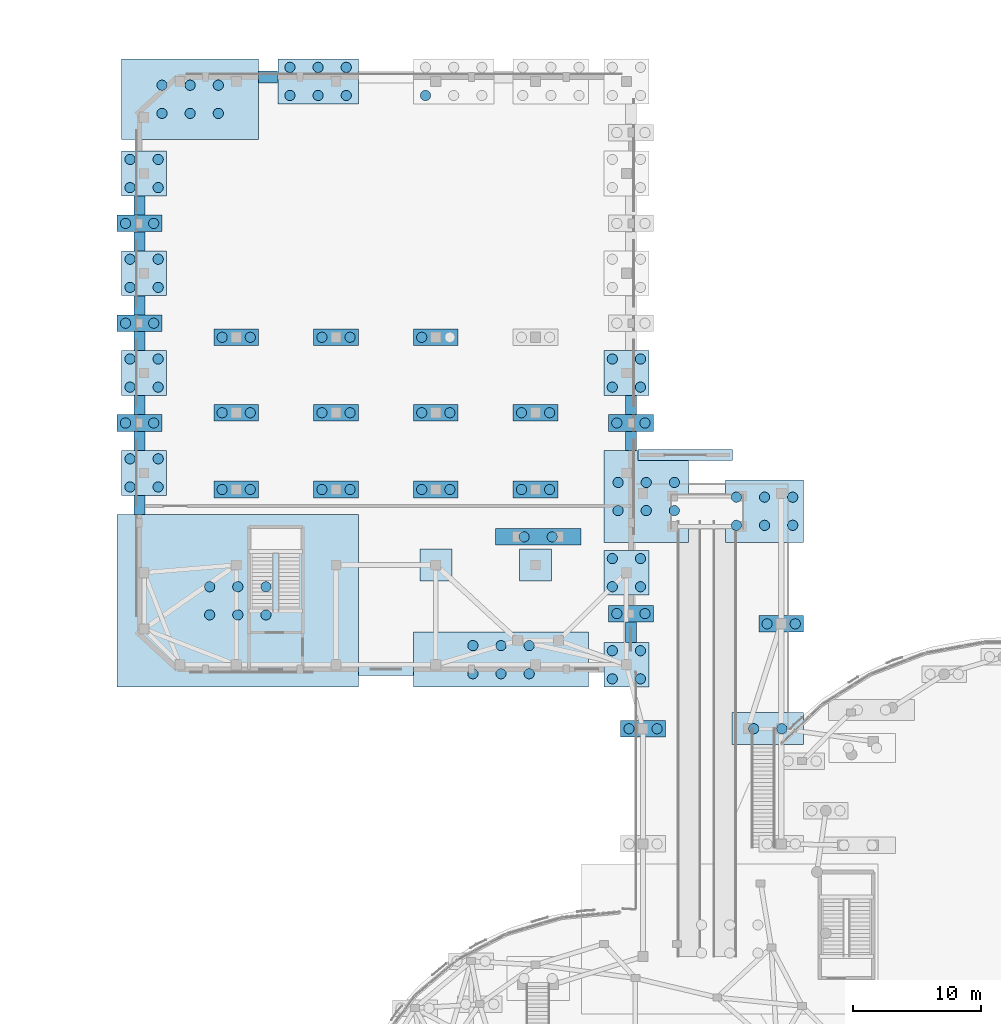
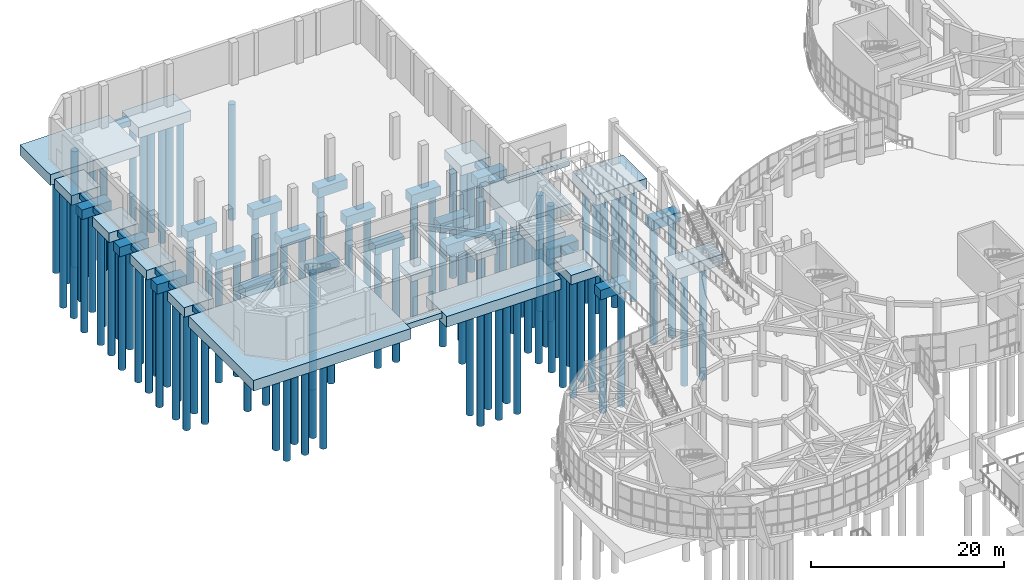
# One storey, part 2 of 96: 104 piles, 48 footings.
"""IFC4 building model written with IfcOpenShell, lengths in metres."""

from ifc_helpers import new_model, si_unit, direction, frame, origin, origin_2d, place, context, subcontext, project, spatial, rectangle, circle, extrude, material, layer, layer_set, material_profile, profile_set, type_object, element, save


model = new_model("IFC4")

# Units and contexts
model_context = context("Model", 3, precision=1e-05, world=origin(), true_north=direction((0.0, 1.0)))
body_context = subcontext(model_context, "Body", "Model", "MODEL_VIEW")
ifc_project = project(units=[si_unit("LENGTHUNIT", "METRE"), si_unit("AREAUNIT", "SQUARE_METRE"), si_unit("VOLUMEUNIT", "CUBIC_METRE"), si_unit("PLANEANGLEUNIT", "RADIAN"), si_unit("MASSUNIT", "GRAM", prefix="KILO")], contexts=[model_context])

# Site, building, storey
site_placement = place(None, origin())
site = spatial("IfcSite", under=ifc_project, at=site_placement, CompositionType="ELEMENT")
building_placement = place(site_placement, origin())
building = spatial("IfcBuilding", under=site, at=building_placement, Name="Pelvatis Terrace Science Centre", CompositionType="ELEMENT")
storey_placement = place(building_placement, origin())
storey = spatial("IfcBuildingStorey", under=building, at=storey_placement, Name="L00", CompositionType="ELEMENT", Elevation=0.0)

# Footings
ifc_material_1 = material(Name="Concrete C35/45", Category="concrete")
ifc_layer_1 = layer(ifc_material_1, 1.35009765625)
ifc_layer_set_1 = layer_set([ifc_layer_1], Name="Concrete C35/45")
footing_type_1 = type_object("IfcFootingType", Name="FTG-CMB-10700x6300x1350", PredefinedType="PILE_CAP", material=ifc_layer_set_1)
footing_1_placement = place(storey_placement, frame((12.0, 115.0, -1.630126953125), z_axis=(0.0, 0.0, 1.0), x_axis=(1.0, 0.0, 0.0)))
element("IfcFooting", 1, at=footing_1_placement, inside=storey, type_object=footing_type_1, Name="Foundation cap L00-223", PredefinedType="PILE_CAP", context=body_context, shape_type="SweptSolid", body=[
    extrude(rectangle(XDim=10.699951171875, YDim=6.300048828125, at=origin_2d()), origin(), (0.0, 0.0, 1.0), 1.35009765625),
])
ifc_material_2 = material(Name="Concrete C35/45", Category="concrete")
ifc_layer_2 = layer(ifc_material_2, 1.35009765625)
ifc_layer_set_2 = layer_set([ifc_layer_2], Name="Concrete C35/45")
footing_type_2 = type_object("IfcFootingType", Name="FTG-CMB-13700x4300x1350", PredefinedType="PILE_CAP", material=ifc_layer_set_2)
footing_2_placement = place(storey_placement, frame((36.300048828125, 71.199951171875, -1.630126953125), z_axis=(0.0, 0.0, 1.0), x_axis=(1.0, 0.0, 0.0)))
element("IfcFooting", 2, at=footing_2_placement, inside=storey, type_object=footing_type_2, Name="Foundation cap L00-237", PredefinedType="PILE_CAP", context=body_context, shape_type="SweptSolid", body=[
    extrude(rectangle(XDim=13.699951171875, YDim=4.300048828125, at=origin_2d()), origin(), (0.0, 0.0, 1.0), 1.35009765625),
])
ifc_material_3 = material(Name="Concrete C35/45", Category="concrete")
ifc_layer_3 = layer(ifc_material_3, 1.35009765625)
ifc_layer_set_3 = layer_set([ifc_layer_3], Name="Concrete C35/45")
footing_type_3 = type_object("IfcFootingType", Name="FTG-CMB-18850x13500x1350", PredefinedType="PILE_CAP", material=ifc_layer_set_3)
footing_3_placement = place(storey_placement, frame((15.72509765625, 75.800048828125, -1.630126953125), z_axis=(0.0, 0.0, 1.0), x_axis=(1.0, 0.0, 0.0)))
element("IfcFooting", 3, at=footing_3_placement, inside=storey, type_object=footing_type_3, Name="Foundation cap L00-211", PredefinedType="PILE_CAP", context=body_context, shape_type="SweptSolid", body=[
    extrude(rectangle(XDim=18.85009765625, YDim=13.5, at=origin_2d()), origin(), (0.0, 0.0, 1.0), 1.35009765625),
])
ifc_material_4 = material(Name="Concrete C35/45", Category="concrete")
ifc_layer_4 = layer(ifc_material_4, 1.35009765625)
ifc_layer_set_4 = layer_set([ifc_layer_4], Name="Concrete C35/45")
footing_type_4 = type_object("IfcFootingType", Name="FTG-CMB-5600x2500x1350", PredefinedType="PILE_CAP", material=ifc_layer_set_4)
footing_4_placement = place(storey_placement, frame((57.14990234375, 65.800048828125, -1.630126953125), z_axis=(0.0, 0.0, 1.0), x_axis=(1.0, 0.0, 0.0)))
element("IfcFooting", 4, at=footing_4_placement, inside=storey, type_object=footing_type_4, Name="Foundation cap L00-284", PredefinedType="PILE_CAP", context=body_context, shape_type="SweptSolid", body=[
    extrude(rectangle(XDim=5.60009765625, YDim=2.5, at=origin_2d()), origin(), (0.0, 0.0, 1.0), 1.35009765625),
])
ifc_material_5 = material(Name="Concrete C35/45", Category="concrete")
ifc_layer_5 = layer(ifc_material_5, 1.35009765625)
ifc_layer_set_5 = layer_set([ifc_layer_5], Name="Concrete C35/45")
footing_type_5 = type_object("IfcFootingType", Name="FTG-CMB-6100x4900x1350", PredefinedType="PILE_CAP", material=ifc_layer_set_5)
footing_5_placement = place(storey_placement, frame((56.89990234375, 82.800048828125, -1.630126953125), z_axis=(0.0, 0.0, 1.0), x_axis=(1.0, 0.0, 0.0)))
element("IfcFooting", 5, at=footing_5_placement, inside=storey, type_object=footing_type_5, Name="Foundation cap L00-287", PredefinedType="PILE_CAP", context=body_context, shape_type="SweptSolid", body=[
    extrude(rectangle(XDim=6.10009765625, YDim=4.89990234375, at=origin_2d()), origin(), (0.0, 0.0, 1.0), 1.35009765625),
])
ifc_material_6 = material(Name="Concrete C35/45", Category="concrete")
ifc_layer_6 = layer(ifc_material_6, 1.35009765625)
ifc_layer_set_6 = layer_set([ifc_layer_6], Name="Concrete C35/45")
footing_type_6 = type_object("IfcFootingType", Name="FTG-CMB-6300x3500x1350", PredefinedType="PILE_CAP", material=ifc_layer_set_6)
footing_6_placement = place(storey_placement, frame((22.0, 116.39990234375, -1.630126953125), z_axis=(0.0, 0.0, 1.0), x_axis=(1.0, 0.0, 0.0)))
element("IfcFooting", 6, at=footing_6_placement, inside=storey, type_object=footing_type_6, Name="Foundation cap L00-224", PredefinedType="PILE_CAP", context=body_context, shape_type="SweptSolid", body=[
    extrude(rectangle(XDim=6.300048828125, YDim=3.5, at=origin_2d()), origin(), (0.0, 0.0, 1.0), 1.35009765625),
])
ifc_material_7 = material(Name="Concrete C35/45", Category="concrete")
ifc_layer_7 = layer(ifc_material_7, 1.35009765625)
ifc_layer_set_7 = layer_set([ifc_layer_7], Name="Concrete C35/45")
footing_type_7 = type_object("IfcFootingType", Name="FTG-CMB-6600x7200x1350", PredefinedType="PILE_CAP", material=ifc_layer_set_7)
footing_7_placement = place(storey_placement, frame((47.64990234375, 83.949951171875, -1.630126953125), z_axis=(0.0, 0.0, 1.0), x_axis=(1.0, 0.0, 0.0)))
element("IfcFooting", 7, at=footing_7_placement, inside=storey, type_object=footing_type_7, Name="Foundation cap L00-262", PredefinedType="PILE_CAP", context=body_context, shape_type="SweptSolid", body=[
    extrude(rectangle(XDim=6.60009765625, YDim=7.199951171875, at=origin_2d()), origin(), (0.0, 0.0, 1.0), 1.35009765625),
])
ifc_material_8 = material(Name="Concrete C35/45", Category="concrete")
ifc_layer_8 = layer(ifc_material_8, 1.35009765625)
ifc_layer_set_8 = layer_set([ifc_layer_8], Name="Concrete C35/45")
footing_type_8 = type_object("IfcFootingType", Name="FTG-CMB-6700x1300x1350", PredefinedType="PILE_CAP", material=ifc_layer_set_8)
footing_8_placement = place(storey_placement, frame((39.199951171875, 80.800048828125, -1.630126953125), z_axis=(0.0, 0.0, 1.0), x_axis=(1.0, 0.0, 0.0)))
element("IfcFooting", 8, at=footing_8_placement, inside=storey, type_object=footing_type_8, Name="Foundation cap L00-240", PredefinedType="PILE_CAP", context=body_context, shape_type="SweptSolid", body=[
    extrude(rectangle(XDim=6.699951171875, YDim=1.300048828125, at=origin_2d()), origin(), (0.0, 0.0, 1.0), 1.35009765625),
])
ifc_material_9 = material(Name="Concrete C35/45", Category="concrete")
ifc_layer_9 = layer(ifc_material_9, 0.85009765625)
ifc_layer_set_9 = layer_set([ifc_layer_9], Name="Concrete C35/45")
footing_type_9 = type_object("IfcFootingType", Name="FTG-PAD-2500x2500x850", PredefinedType="PAD_FOOTING", material=ifc_layer_set_9)
for number, where, z_axis, x_axis, name in (
    (9, (31.199951171875, 78.60009765625, -1.130126953125), (0.0, 0.0, 1.0), (1.0, 0.0, 0.0), "Foundation cap L00-238"),
    (10, (39.0, 78.60009765625, -1.130126953125), (0.0, 0.0, 1.0), (1.0, 0.0, 0.0), "Foundation cap L00-239"),
):
    element("IfcFooting", number, at=place(storey_placement, frame(where, z_axis=z_axis, x_axis=x_axis)), inside=storey, type_object=footing_type_9, Name=name, PredefinedType="PAD_FOOTING", context=body_context, shape_type="SweptSolid", body=[
        extrude(rectangle(XDim=2.5, YDim=2.5, at=origin_2d()), origin(), (0.0, 0.0, 1.0), 0.85009765625),
    ])
ifc_material_10 = material(Name="Concrete C35/45", Category="concrete")
ifc_layer_10 = layer(ifc_material_10, 1.199951171875)
ifc_layer_set_10 = layer_set([ifc_layer_10], Name="Concrete C35/45")
footing_type_10 = type_object("IfcFootingType", Name="FTG-PC2-3500x1300x1200", PredefinedType="PILE_CAP", material=ifc_layer_set_10)
for number, where, z_axis, x_axis, name in (
    (11, (15.60009765625, 84.5, -1.47998046875), (0.0, 0.0, 1.0), (1.0, 0.0, 0.0), "Foundation cap L00-212"),
    (12, (23.39990234375, 84.5, -1.47998046875), (0.0, 0.0, 1.0), (1.0, 0.0, 0.0), "Foundation cap L00-213"),
    (13, (8.050048828125, 89.699951171875, -1.47998046875), (0.0, 0.0, 1.0), (1.0, 0.0, 0.0), "Foundation cap L00-215"),
    (14, (15.60009765625, 90.5, -1.47998046875), (0.0, 0.0, 1.0), (1.0, 0.0, 0.0), "Foundation cap L00-216"),
    (15, (15.60009765625, 96.39990234375, -1.47998046875), (0.0, 0.0, 1.0), (1.0, 0.0, 0.0), "Foundation cap L00-218"),
    (16, (8.050048828125, 97.5, -1.47998046875), (0.0, 0.0, 1.0), (1.0, 0.0, 0.0), "Foundation cap L00-219"),
    (17, (8.050048828125, 105.300048828125, -1.47998046875), (0.0, 0.0, 1.0), (1.0, 0.0, 0.0), "Foundation cap L00-221"),
    (18, (31.199951171875, 84.5, -1.47998046875), (0.0, 0.0, 1.0), (1.0, 0.0, 0.0), "Foundation cap L00-241"),
    (19, (39.0, 84.5, -1.47998046875), (0.0, 0.0, 1.0), (1.0, 0.0, 0.0), "Foundation cap L00-242"),
    (20, (23.39990234375, 90.5, -1.47998046875), (0.0, 0.0, 1.0), (1.0, 0.0, 0.0), "Foundation cap L00-243"),
    (21, (31.199951171875, 90.5, -1.47998046875), (0.0, 0.0, 1.0), (1.0, 0.0, 0.0), "Foundation cap L00-244"),
    (22, (39.0, 90.5, -1.47998046875), (0.0, 0.0, 1.0), (1.0, 0.0, 0.0), "Foundation cap L00-245"),
    (23, (23.39990234375, 96.39990234375, -1.47998046875), (0.0, 0.0, 1.0), (1.0, 0.0, 0.0), "Foundation cap L00-246"),
    (24, (31.199951171875, 96.39990234375, -1.47998046875), (0.0, 0.0, 1.0), (1.0, 0.0, 0.0), "Foundation cap L00-248"),
    (25, (47.39990234375, 65.800048828125, -1.47998046875), (0.0, 0.0, 1.0), (1.0, 0.0, 0.0), "Foundation cap L00-258"),
    (26, (46.449951171875, 74.800048828125, -1.47998046875), (0.0, 0.0, 1.0), (1.0, 0.0, 0.0), "Foundation cap L00-260"),
    (27, (46.449951171875, 89.699951171875, -1.47998046875), (0.0, 0.0, 1.0), (1.0, 0.0, 0.0), "Foundation cap L00-263"),
    (28, (58.199951171875, 74.0, -1.47998046875), (0.0, 0.0, 1.0), (1.0, 0.0, 0.0), "Foundation cap L00-286"),
):
    element("IfcFooting", number, at=place(storey_placement, frame(where, z_axis=z_axis, x_axis=x_axis)), inside=storey, type_object=footing_type_10, Name=name, PredefinedType="PILE_CAP", context=body_context, shape_type="SweptSolid", body=[
        extrude(rectangle(XDim=3.5, YDim=1.300048828125, at=origin_2d()), origin(), (0.0, 0.0, 1.0), 1.199951171875),
    ])
ifc_material_11 = material(Name="Concrete C35/45", Category="concrete")
ifc_layer_11 = layer(ifc_material_11, 1.199951171875)
ifc_layer_set_11 = layer_set([ifc_layer_11], Name="Concrete C35/45")
footing_type_11 = type_object("IfcFootingType", Name="FTG-PC4-3500x3500x1200", PredefinedType="PILE_CAP", material=ifc_layer_set_11)
for number, where, z_axis, x_axis, name in (
    (29, (8.39990234375, 85.800048828125, -1.47998046875), (0.0, 0.0, 1.0), (1.0, 0.0, 0.0), "Foundation cap L00-214"),
    (30, (8.39990234375, 93.60009765625, -1.47998046875), (0.0, 0.0, 1.0), (1.0, 0.0, 0.0), "Foundation cap L00-217"),
    (31, (8.39990234375, 101.39990234375, -1.47998046875), (0.0, 0.0, 1.0), (1.0, 0.0, 0.0), "Foundation cap L00-220"),
    (32, (8.39990234375, 109.199951171875, -1.47998046875), (0.0, 0.0, 1.0), (1.0, 0.0, 0.0), "Foundation cap L00-222"),
    (33, (46.10009765625, 70.800048828125, -1.47998046875), (0.0, 0.0, 1.0), (1.0, 0.0, 0.0), "Foundation cap L00-259"),
    (34, (46.10009765625, 78.0, -1.47998046875), (0.0, 0.0, 1.0), (1.0, 0.0, 0.0), "Foundation cap L00-261"),
    (35, (46.10009765625, 93.60009765625, -1.47998046875), (0.0, 0.0, 1.0), (1.0, 0.0, 0.0), "Foundation cap L00-264"),
):
    element("IfcFooting", number, at=place(storey_placement, frame(where, z_axis=z_axis, x_axis=x_axis)), inside=storey, type_object=footing_type_11, Name=name, PredefinedType="PILE_CAP", context=body_context, shape_type="SweptSolid", body=[
        extrude(rectangle(XDim=3.5, YDim=3.5, at=origin_2d()), origin(), (0.0, 0.0, 1.0), 1.199951171875),
    ])
ifc_material_12 = material(Name="Concrete C35/45", Category="concrete")
ifc_material_profile_1 = material_profile(ifc_material_12, rectangle(XDim=0.85009765625, YDim=0.64990234375, at=origin_2d()), Name="RC-STR 850x650")
ifc_profile_set_1 = profile_set([ifc_material_profile_1], Name="Concrete C35/45")
footing_type_12 = type_object("IfcFootingType", Name="FTG-STR-850x650", PredefinedType="STRIP_FOOTING", material=ifc_profile_set_1)
for number, where, z_axis, x_axis, name in (
    (36, (8.050048828125, 82.56005859375, -0.679931640625), (0.0, 1.0, 0.0), (-1.0, 0.0, 0.0), "Foundation strip footing 05"),
    (37, (8.050048828125, 87.56005859375, -0.679931640625), (0.0, 1.0, 0.0), (-1.0, 0.0, 0.0), "Foundation strip footing 06"),
    (38, (8.050048828125, 90.360107421875, -0.679931640625), (0.0, 1.0, 0.0), (-1.0, 0.0, 0.0), "Foundation strip footing 07"),
    (39, (8.050048828125, 95.360107421875, -0.679931640625), (0.0, 1.0, 0.0), (-1.0, 0.0, 0.0), "Foundation strip footing 08"),
    (40, (8.050048828125, 98.159912109375, -0.679931640625), (0.0, 1.0, 0.0), (-1.0, 0.0, 0.0), "Foundation strip footing 09"),
    (41, (8.050048828125, 103.159912109375, -0.679931640625), (0.0, 1.0, 0.0), (-1.0, 0.0, 0.0), "Foundation strip footing 10"),
    (42, (8.050048828125, 105.9599609375, -0.679931640625), (0.0, 1.0, 0.0), (-1.0, 0.0, 0.0), "Foundation strip footing 11"),
):
    element("IfcFooting", number, at=place(storey_placement, frame(where, z_axis=z_axis, x_axis=x_axis)), inside=storey, type_object=footing_type_12, Name=name, PredefinedType="STRIP_FOOTING", context=body_context, shape_type="SweptSolid", body=[
        extrude(rectangle(XDim=0.85009765625, YDim=0.64990234375, at=origin_2d()), origin(), (0.0, 0.0, 1.0), 1.47998046875),
    ])
footing_9_placement = place(storey_placement, frame((46.449951171875, 72.56005859375, -0.679931640625), z_axis=(0.0, 1.0, 0.0), x_axis=(-1.0, 0.0, 0.0)))
element("IfcFooting", 43, at=footing_9_placement, inside=storey, type_object=footing_type_12, Name="Foundation strip footing 12", PredefinedType="STRIP_FOOTING", context=body_context, shape_type="SweptSolid", body=[
    extrude(rectangle(XDim=0.85009765625, YDim=0.64990234375, at=origin_2d()), origin(), (0.0, 0.0, 1.0), 1.579833984375),
])
for number, where, z_axis, x_axis, name in (
    (44, (46.449951171875, 87.56005859375, -0.679931640625), (0.0, 1.0, 0.0), (-1.0, 0.0, 0.0), "Foundation strip footing 13"),
    (45, (46.449951171875, 90.360107421875, -0.679931640625), (0.0, 1.0, 0.0), (-1.0, 0.0, 0.0), "Foundation strip footing 14"),
):
    element("IfcFooting", number, at=place(storey_placement, frame(where, z_axis=z_axis, x_axis=x_axis)), inside=storey, type_object=footing_type_12, Name=name, PredefinedType="STRIP_FOOTING", context=body_context, shape_type="SweptSolid", body=[
        extrude(rectangle(XDim=0.85009765625, YDim=0.64990234375, at=origin_2d()), origin(), (0.0, 0.0, 1.0), 1.47998046875),
    ])
footing_10_placement = place(storey_placement, frame((47.0, 87.199951171875, -0.324951171875), z_axis=(1.0, 0.0, 0.0), x_axis=(0.0, 1.0, 0.0)))
element("IfcFooting", 46, at=footing_10_placement, inside=storey, type_object=footing_type_12, Name="Courtyard gate strip footing 1", PredefinedType="STRIP_FOOTING", context=body_context, shape_type="SweptSolid", body=[
    extrude(rectangle(XDim=0.85009765625, YDim=0.64990234375, at=origin_2d()), origin(), (0.0, 0.0, 1.0), 7.39990234375),
])
ifc_material_13 = material(Name="Concrete C35/45", Category="concrete")
ifc_material_profile_2 = material_profile(ifc_material_13, rectangle(XDim=0.949951171875, YDim=0.699951171875, at=origin_2d()), Name="RC-STR 950x700")
ifc_profile_set_2 = profile_set([ifc_material_profile_2], Name="Concrete C35/45")
footing_type_13 = type_object("IfcFootingType", Name="FTG-STR-950x700", PredefinedType="STRIP_FOOTING", material=ifc_profile_set_2)
footing_11_placement = place(storey_placement, frame((25.159912109375, 70.449951171875, -0.679931640625), z_axis=(1.0, 0.0, 0.0), x_axis=(0.0, 1.0, 0.0)))
element("IfcFooting", 47, at=footing_11_placement, inside=storey, type_object=footing_type_13, Name="Foundation strip footing 01", PredefinedType="STRIP_FOOTING", context=body_context, shape_type="SweptSolid", body=[
    extrude(rectangle(XDim=0.949951171875, YDim=0.699951171875, at=origin_2d()), origin(), (0.0, 0.0, 1.0), 4.280029296875),
])
footing_12_placement = place(storey_placement, frame((17.360107421875, 116.75, -0.679931640625), z_axis=(1.0, 0.0, 0.0), x_axis=(0.0, 1.0, 0.0)))
element("IfcFooting", 48, at=footing_12_placement, inside=storey, type_object=footing_type_13, Name="Foundation strip footing 02", PredefinedType="STRIP_FOOTING", context=body_context, shape_type="SweptSolid", body=[
    extrude(rectangle(XDim=0.949951171875, YDim=0.699951171875, at=origin_2d()), origin(), (0.0, 0.0, 1.0), 1.47998046875),
])

# Piles
ifc_material_14 = material(Name="Concrete C30/37", Category="concrete")
ifc_material_profile_3 = material_profile(ifc_material_14, circle(Radius=0.39990234375, at=origin_2d()), Name="PILE D800")
ifc_profile_set_3 = profile_set([ifc_material_profile_3], Name="Concrete C30/37")
pile_type = type_object("IfcPileType", Name="PIL-BORED-D800", PredefinedType="BORED", material=ifc_profile_set_3)
for number, where, z_axis, x_axis, name in (
    (49, (13.52490234375, 74.699951171875, -1.530029296875), (0.0, 0.0, -1.0), (1.0, 0.0, 0.0), "Bored pile L00-211-1"),
    (50, (15.72509765625, 74.699951171875, -1.530029296875), (0.0, 0.0, -1.0), (1.0, 0.0, 0.0), "Bored pile L00-211-2"),
    (51, (17.925048828125, 74.699951171875, -1.530029296875), (0.0, 0.0, -1.0), (1.0, 0.0, 0.0), "Bored pile L00-211-3"),
    (52, (13.52490234375, 76.89990234375, -1.530029296875), (0.0, 0.0, -1.0), (1.0, 0.0, 0.0), "Bored pile L00-211-4"),
    (53, (15.72509765625, 76.89990234375, -1.530029296875), (0.0, 0.0, -1.0), (1.0, 0.0, 0.0), "Bored pile L00-211-5"),
    (54, (17.925048828125, 76.89990234375, -1.530029296875), (0.0, 0.0, -1.0), (1.0, 0.0, 0.0), "Bored pile L00-211-6"),
):
    element("IfcPile", number, at=place(storey_placement, frame(where, z_axis=z_axis, x_axis=x_axis)), inside=storey, type_object=pile_type, Name=name, PredefinedType="BORED", context=body_context, shape_type="SweptSolid", body=[
        extrude(circle(Radius=0.39990234375, at=origin_2d()), origin(), (0.0, 0.0, 1.0), 14.669921875),
    ])
for number, where, z_axis, x_axis, name in (
    (55, (14.5, 84.5, -1.3798828125), (0.0, 0.0, -1.0), (1.0, 0.0, 0.0), "Bored pile L00-212-1"),
    (56, (16.699951171875, 84.5, -1.3798828125), (0.0, 0.0, -1.0), (1.0, 0.0, 0.0), "Bored pile L00-212-2"),
    (57, (22.300048828125, 84.5, -1.3798828125), (0.0, 0.0, -1.0), (1.0, 0.0, 0.0), "Bored pile L00-213-1"),
    (58, (24.5, 84.5, -1.3798828125), (0.0, 0.0, -1.0), (1.0, 0.0, 0.0), "Bored pile L00-213-2"),
    (59, (7.300048828125, 84.699951171875, -1.3798828125), (0.0, 0.0, -1.0), (1.0, 0.0, 0.0), "Bored pile L00-214-1"),
    (60, (7.300048828125, 86.89990234375, -1.3798828125), (0.0, 0.0, -1.0), (1.0, 0.0, 0.0), "Bored pile L00-214-2"),
    (61, (9.5, 84.699951171875, -1.3798828125), (0.0, 0.0, -1.0), (1.0, 0.0, 0.0), "Bored pile L00-214-3"),
    (62, (9.5, 86.89990234375, -1.3798828125), (0.0, 0.0, -1.0), (1.0, 0.0, 0.0), "Bored pile L00-214-4"),
    (63, (6.949951171875, 89.699951171875, -1.3798828125), (0.0, 0.0, -1.0), (1.0, 0.0, 0.0), "Bored pile L00-215-1"),
    (64, (9.14990234375, 89.699951171875, -1.3798828125), (0.0, 0.0, -1.0), (1.0, 0.0, 0.0), "Bored pile L00-215-2"),
    (65, (14.5, 90.5, -1.3798828125), (0.0, 0.0, -1.0), (1.0, 0.0, 0.0), "Bored pile L00-216-1"),
    (66, (16.699951171875, 90.5, -1.3798828125), (0.0, 0.0, -1.0), (1.0, 0.0, 0.0), "Bored pile L00-216-2"),
    (67, (7.300048828125, 92.5, -1.3798828125), (0.0, 0.0, -1.0), (1.0, 0.0, 0.0), "Bored pile L00-217-1"),
    (68, (7.300048828125, 94.699951171875, -1.3798828125), (0.0, 0.0, -1.0), (1.0, 0.0, 0.0), "Bored pile L00-217-2"),
    (69, (9.5, 92.5, -1.3798828125), (0.0, 0.0, -1.0), (1.0, 0.0, 0.0), "Bored pile L00-217-3"),
    (70, (9.5, 94.699951171875, -1.3798828125), (0.0, 0.0, -1.0), (1.0, 0.0, 0.0), "Bored pile L00-217-4"),
    (71, (14.5, 96.39990234375, -1.3798828125), (0.0, 0.0, -1.0), (1.0, 0.0, 0.0), "Bored pile L00-218-1"),
    (72, (16.699951171875, 96.39990234375, -1.3798828125), (0.0, 0.0, -1.0), (1.0, 0.0, 0.0), "Bored pile L00-218-2"),
    (73, (6.949951171875, 97.5, -1.3798828125), (0.0, 0.0, -1.0), (1.0, 0.0, 0.0), "Bored pile L00-219-1"),
    (74, (9.14990234375, 97.5, -1.3798828125), (0.0, 0.0, -1.0), (1.0, 0.0, 0.0), "Bored pile L00-219-2"),
    (75, (7.300048828125, 100.300048828125, -1.3798828125), (0.0, 0.0, -1.0), (1.0, 0.0, 0.0), "Bored pile L00-220-1"),
    (76, (7.300048828125, 102.5, -1.3798828125), (0.0, 0.0, -1.0), (1.0, 0.0, 0.0), "Bored pile L00-220-2"),
    (77, (9.5, 100.300048828125, -1.3798828125), (0.0, 0.0, -1.0), (1.0, 0.0, 0.0), "Bored pile L00-220-3"),
    (78, (9.5, 102.5, -1.3798828125), (0.0, 0.0, -1.0), (1.0, 0.0, 0.0), "Bored pile L00-220-4"),
    (79, (6.949951171875, 105.300048828125, -1.3798828125), (0.0, 0.0, -1.0), (1.0, 0.0, 0.0), "Bored pile L00-221-1"),
    (80, (9.14990234375, 105.300048828125, -1.3798828125), (0.0, 0.0, -1.0), (1.0, 0.0, 0.0), "Bored pile L00-221-2"),
    (81, (7.300048828125, 108.10009765625, -1.3798828125), (0.0, 0.0, -1.0), (1.0, 0.0, 0.0), "Bored pile L00-222-1"),
    (82, (7.300048828125, 110.300048828125, -1.3798828125), (0.0, 0.0, -1.0), (1.0, 0.0, 0.0), "Bored pile L00-222-2"),
    (83, (9.5, 108.10009765625, -1.3798828125), (0.0, 0.0, -1.0), (1.0, 0.0, 0.0), "Bored pile L00-222-3"),
    (84, (9.5, 110.300048828125, -1.3798828125), (0.0, 0.0, -1.0), (1.0, 0.0, 0.0), "Bored pile L00-222-4"),
):
    element("IfcPile", number, at=place(storey_placement, frame(where, z_axis=z_axis, x_axis=x_axis)), inside=storey, type_object=pile_type, Name=name, PredefinedType="BORED", context=body_context, shape_type="SweptSolid", body=[
        extrude(circle(Radius=0.39990234375, at=origin_2d()), origin(), (0.0, 0.0, 1.0), 14.820068359375),
    ])
for number, where, z_axis, x_axis, name in (
    (85, (9.800048828125, 113.89990234375, -1.530029296875), (0.0, 0.0, -1.0), (1.0, 0.0, 0.0), "Bored pile L00-223-1"),
    (86, (12.0, 113.89990234375, -1.530029296875), (0.0, 0.0, -1.0), (1.0, 0.0, 0.0), "Bored pile L00-223-2"),
    (87, (14.199951171875, 113.89990234375, -1.530029296875), (0.0, 0.0, -1.0), (1.0, 0.0, 0.0), "Bored pile L00-223-3"),
    (88, (9.800048828125, 116.10009765625, -1.530029296875), (0.0, 0.0, -1.0), (1.0, 0.0, 0.0), "Bored pile L00-223-4"),
    (89, (12.0, 116.10009765625, -1.530029296875), (0.0, 0.0, -1.0), (1.0, 0.0, 0.0), "Bored pile L00-223-5"),
    (90, (14.199951171875, 116.10009765625, -1.530029296875), (0.0, 0.0, -1.0), (1.0, 0.0, 0.0), "Bored pile L00-223-6"),
    (91, (19.800048828125, 115.300048828125, -1.530029296875), (0.0, 0.0, -1.0), (1.0, 0.0, 0.0), "Bored pile L00-224-1"),
    (92, (22.0, 115.300048828125, -1.530029296875), (0.0, 0.0, -1.0), (1.0, 0.0, 0.0), "Bored pile L00-224-2"),
    (93, (24.199951171875, 115.300048828125, -1.530029296875), (0.0, 0.0, -1.0), (1.0, 0.0, 0.0), "Bored pile L00-224-3"),
    (94, (19.800048828125, 117.5, -1.530029296875), (0.0, 0.0, -1.0), (1.0, 0.0, 0.0), "Bored pile L00-224-4"),
    (95, (22.0, 117.5, -1.530029296875), (0.0, 0.0, -1.0), (1.0, 0.0, 0.0), "Bored pile L00-224-5"),
    (96, (24.199951171875, 117.5, -1.530029296875), (0.0, 0.0, -1.0), (1.0, 0.0, 0.0), "Bored pile L00-224-6"),
    (97, (34.10009765625, 70.10009765625, -1.530029296875), (0.0, 0.0, -1.0), (1.0, 0.0, 0.0), "Bored pile L00-237-1"),
    (98, (36.300048828125, 70.10009765625, -1.530029296875), (0.0, 0.0, -1.0), (1.0, 0.0, 0.0), "Bored pile L00-237-2"),
    (99, (38.5, 70.10009765625, -1.530029296875), (0.0, 0.0, -1.0), (1.0, 0.0, 0.0), "Bored pile L00-237-3"),
    (100, (34.10009765625, 72.300048828125, -1.530029296875), (0.0, 0.0, -1.0), (1.0, 0.0, 0.0), "Bored pile L00-237-4"),
    (101, (36.300048828125, 72.300048828125, -1.530029296875), (0.0, 0.0, -1.0), (1.0, 0.0, 0.0), "Bored pile L00-237-5"),
    (102, (38.5, 72.300048828125, -1.530029296875), (0.0, 0.0, -1.0), (1.0, 0.0, 0.0), "Bored pile L00-237-6"),
    (103, (38.10009765625, 80.800048828125, -1.530029296875), (0.0, 0.0, -1.0), (1.0, 0.0, 0.0), "Bored pile L00-240-1"),
    (104, (40.300048828125, 80.800048828125, -1.530029296875), (0.0, 0.0, -1.0), (1.0, 0.0, 0.0), "Bored pile L00-240-2"),
):
    element("IfcPile", number, at=place(storey_placement, frame(where, z_axis=z_axis, x_axis=x_axis)), inside=storey, type_object=pile_type, Name=name, PredefinedType="BORED", context=body_context, shape_type="SweptSolid", body=[
        extrude(circle(Radius=0.39990234375, at=origin_2d()), origin(), (0.0, 0.0, 1.0), 14.669921875),
    ])
for number, where, z_axis, x_axis, name in (
    (105, (30.10009765625, 84.5, -1.3798828125), (0.0, 0.0, -1.0), (1.0, 0.0, 0.0), "Bored pile L00-241-1"),
    (106, (32.300048828125, 84.5, -1.3798828125), (0.0, 0.0, -1.0), (1.0, 0.0, 0.0), "Bored pile L00-241-2"),
    (107, (37.89990234375, 84.5, -1.3798828125), (0.0, 0.0, -1.0), (1.0, 0.0, 0.0), "Bored pile L00-242-1"),
    (108, (40.10009765625, 84.5, -1.3798828125), (0.0, 0.0, -1.0), (1.0, 0.0, 0.0), "Bored pile L00-242-2"),
    (109, (22.300048828125, 90.5, -1.3798828125), (0.0, 0.0, -1.0), (1.0, 0.0, 0.0), "Bored pile L00-243-1"),
    (110, (24.5, 90.5, -1.3798828125), (0.0, 0.0, -1.0), (1.0, 0.0, 0.0), "Bored pile L00-243-2"),
    (111, (30.10009765625, 90.5, -1.3798828125), (0.0, 0.0, -1.0), (1.0, 0.0, 0.0), "Bored pile L00-244-1"),
    (112, (32.300048828125, 90.5, -1.3798828125), (0.0, 0.0, -1.0), (1.0, 0.0, 0.0), "Bored pile L00-244-2"),
    (113, (37.89990234375, 90.5, -1.3798828125), (0.0, 0.0, -1.0), (1.0, 0.0, 0.0), "Bored pile L00-245-1"),
    (114, (40.10009765625, 90.5, -1.3798828125), (0.0, 0.0, -1.0), (1.0, 0.0, 0.0), "Bored pile L00-245-2"),
    (115, (22.300048828125, 96.39990234375, -1.3798828125), (0.0, 0.0, -1.0), (1.0, 0.0, 0.0), "Bored pile L00-246-1"),
    (116, (24.5, 96.39990234375, -1.3798828125), (0.0, 0.0, -1.0), (1.0, 0.0, 0.0), "Bored pile L00-246-2"),
    (117, (30.10009765625, 96.39990234375, -1.3798828125), (0.0, 0.0, -1.0), (1.0, 0.0, 0.0), "Bored pile L00-248-1"),
):
    element("IfcPile", number, at=place(storey_placement, frame(where, z_axis=z_axis, x_axis=x_axis)), inside=storey, type_object=pile_type, Name=name, PredefinedType="BORED", context=body_context, shape_type="SweptSolid", body=[
        extrude(circle(Radius=0.39990234375, at=origin_2d()), origin(), (0.0, 0.0, 1.0), 14.820068359375),
    ])
pile_placement = place(storey_placement, frame((30.39990234375, 115.300048828125, -1.530029296875), z_axis=(0.0, 0.0, -1.0), x_axis=(1.0, 0.0, 0.0)))
element("IfcPile", 118, at=pile_placement, inside=storey, type_object=pile_type, Name="Bored pile L00-250-1", PredefinedType="BORED", context=body_context, shape_type="SweptSolid", body=[
    extrude(circle(Radius=0.39990234375, at=origin_2d()), origin(), (0.0, 0.0, 1.0), 14.669921875),
])
for number, where, z_axis, x_axis, name in (
    (119, (46.300048828125, 65.800048828125, -1.3798828125), (0.0, 0.0, -1.0), (1.0, 0.0, 0.0), "Bored pile L00-258-1"),
    (120, (48.5, 65.800048828125, -1.3798828125), (0.0, 0.0, -1.0), (1.0, 0.0, 0.0), "Bored pile L00-258-2"),
    (121, (45.0, 69.699951171875, -1.3798828125), (0.0, 0.0, -1.0), (1.0, 0.0, 0.0), "Bored pile L00-259-1"),
    (122, (45.0, 71.89990234375, -1.3798828125), (0.0, 0.0, -1.0), (1.0, 0.0, 0.0), "Bored pile L00-259-2"),
    (123, (47.199951171875, 69.699951171875, -1.3798828125), (0.0, 0.0, -1.0), (1.0, 0.0, 0.0), "Bored pile L00-259-3"),
    (124, (47.199951171875, 71.89990234375, -1.3798828125), (0.0, 0.0, -1.0), (1.0, 0.0, 0.0), "Bored pile L00-259-4"),
    (125, (45.35009765625, 74.800048828125, -1.3798828125), (0.0, 0.0, -1.0), (1.0, 0.0, 0.0), "Bored pile L00-260-1"),
    (126, (47.550048828125, 74.800048828125, -1.3798828125), (0.0, 0.0, -1.0), (1.0, 0.0, 0.0), "Bored pile L00-260-2"),
    (127, (45.0, 76.89990234375, -1.3798828125), (0.0, 0.0, -1.0), (1.0, 0.0, 0.0), "Bored pile L00-261-1"),
    (128, (45.0, 79.10009765625, -1.3798828125), (0.0, 0.0, -1.0), (1.0, 0.0, 0.0), "Bored pile L00-261-2"),
    (129, (47.199951171875, 76.89990234375, -1.3798828125), (0.0, 0.0, -1.0), (1.0, 0.0, 0.0), "Bored pile L00-261-3"),
    (130, (47.199951171875, 79.10009765625, -1.3798828125), (0.0, 0.0, -1.0), (1.0, 0.0, 0.0), "Bored pile L00-261-4"),
):
    element("IfcPile", number, at=place(storey_placement, frame(where, z_axis=z_axis, x_axis=x_axis)), inside=storey, type_object=pile_type, Name=name, PredefinedType="BORED", context=body_context, shape_type="SweptSolid", body=[
        extrude(circle(Radius=0.39990234375, at=origin_2d()), origin(), (0.0, 0.0, 1.0), 14.820068359375),
    ])
for number, where, z_axis, x_axis, name in (
    (131, (45.449951171875, 82.85009765625, -1.530029296875), (0.0, 0.0, -1.0), (1.0, 0.0, 0.0), "Bored pile L00-262-1"),
    (132, (47.64990234375, 82.85009765625, -1.530029296875), (0.0, 0.0, -1.0), (1.0, 0.0, 0.0), "Bored pile L00-262-2"),
    (133, (49.85009765625, 82.85009765625, -1.530029296875), (0.0, 0.0, -1.0), (1.0, 0.0, 0.0), "Bored pile L00-262-3"),
    (134, (45.449951171875, 85.050048828125, -1.530029296875), (0.0, 0.0, -1.0), (1.0, 0.0, 0.0), "Bored pile L00-262-4"),
    (135, (47.64990234375, 85.050048828125, -1.530029296875), (0.0, 0.0, -1.0), (1.0, 0.0, 0.0), "Bored pile L00-262-5"),
    (136, (49.85009765625, 85.050048828125, -1.530029296875), (0.0, 0.0, -1.0), (1.0, 0.0, 0.0), "Bored pile L00-262-6"),
):
    element("IfcPile", number, at=place(storey_placement, frame(where, z_axis=z_axis, x_axis=x_axis)), inside=storey, type_object=pile_type, Name=name, PredefinedType="BORED", context=body_context, shape_type="SweptSolid", body=[
        extrude(circle(Radius=0.39990234375, at=origin_2d()), origin(), (0.0, 0.0, 1.0), 14.669921875),
    ])
for number, where, z_axis, x_axis, name in (
    (137, (45.35009765625, 89.699951171875, -1.3798828125), (0.0, 0.0, -1.0), (1.0, 0.0, 0.0), "Bored pile L00-263-1"),
    (138, (47.550048828125, 89.699951171875, -1.3798828125), (0.0, 0.0, -1.0), (1.0, 0.0, 0.0), "Bored pile L00-263-2"),
    (139, (45.0, 92.5, -1.3798828125), (0.0, 0.0, -1.0), (1.0, 0.0, 0.0), "Bored pile L00-264-1"),
    (140, (45.0, 94.699951171875, -1.3798828125), (0.0, 0.0, -1.0), (1.0, 0.0, 0.0), "Bored pile L00-264-2"),
    (141, (47.199951171875, 92.5, -1.3798828125), (0.0, 0.0, -1.0), (1.0, 0.0, 0.0), "Bored pile L00-264-3"),
    (142, (47.199951171875, 94.699951171875, -1.3798828125), (0.0, 0.0, -1.0), (1.0, 0.0, 0.0), "Bored pile L00-264-4"),
):
    element("IfcPile", number, at=place(storey_placement, frame(where, z_axis=z_axis, x_axis=x_axis)), inside=storey, type_object=pile_type, Name=name, PredefinedType="BORED", context=body_context, shape_type="SweptSolid", body=[
        extrude(circle(Radius=0.39990234375, at=origin_2d()), origin(), (0.0, 0.0, 1.0), 14.820068359375),
    ])
for number, where, z_axis, x_axis, name in (
    (143, (56.050048828125, 65.800048828125, -1.530029296875), (0.0, 0.0, -1.0), (1.0, 0.0, 0.0), "Bored pile L00-284-1"),
    (144, (58.25, 65.800048828125, -1.530029296875), (0.0, 0.0, -1.0), (1.0, 0.0, 0.0), "Bored pile L00-284-2"),
):
    element("IfcPile", number, at=place(storey_placement, frame(where, z_axis=z_axis, x_axis=x_axis)), inside=storey, type_object=pile_type, Name=name, PredefinedType="BORED", context=body_context, shape_type="SweptSolid", body=[
        extrude(circle(Radius=0.39990234375, at=origin_2d()), origin(), (0.0, 0.0, 1.0), 14.669921875),
    ])
for number, where, z_axis, x_axis, name in (
    (145, (57.10009765625, 74.0, -1.3798828125), (0.0, 0.0, -1.0), (1.0, 0.0, 0.0), "Bored pile L00-286-1"),
    (146, (59.300048828125, 74.0, -1.3798828125), (0.0, 0.0, -1.0), (1.0, 0.0, 0.0), "Bored pile L00-286-2"),
):
    element("IfcPile", number, at=place(storey_placement, frame(where, z_axis=z_axis, x_axis=x_axis)), inside=storey, type_object=pile_type, Name=name, PredefinedType="BORED", context=body_context, shape_type="SweptSolid", body=[
        extrude(circle(Radius=0.39990234375, at=origin_2d()), origin(), (0.0, 0.0, 1.0), 14.820068359375),
    ])
for number, where, z_axis, x_axis, name in (
    (147, (54.699951171875, 81.699951171875, -1.530029296875), (0.0, 0.0, -1.0), (1.0, 0.0, 0.0), "Bored pile L00-287-1"),
    (148, (56.89990234375, 81.699951171875, -1.530029296875), (0.0, 0.0, -1.0), (1.0, 0.0, 0.0), "Bored pile L00-287-2"),
    (149, (59.10009765625, 81.699951171875, -1.530029296875), (0.0, 0.0, -1.0), (1.0, 0.0, 0.0), "Bored pile L00-287-3"),
    (150, (54.699951171875, 83.89990234375, -1.530029296875), (0.0, 0.0, -1.0), (1.0, 0.0, 0.0), "Bored pile L00-287-4"),
    (151, (56.89990234375, 83.89990234375, -1.530029296875), (0.0, 0.0, -1.0), (1.0, 0.0, 0.0), "Bored pile L00-287-5"),
    (152, (59.10009765625, 83.89990234375, -1.530029296875), (0.0, 0.0, -1.0), (1.0, 0.0, 0.0), "Bored pile L00-287-6"),
):
    element("IfcPile", number, at=place(storey_placement, frame(where, z_axis=z_axis, x_axis=x_axis)), inside=storey, type_object=pile_type, Name=name, PredefinedType="BORED", context=body_context, shape_type="SweptSolid", body=[
        extrude(circle(Radius=0.39990234375, at=origin_2d()), origin(), (0.0, 0.0, 1.0), 14.669921875),
    ])

save(model, "model.ifc")
